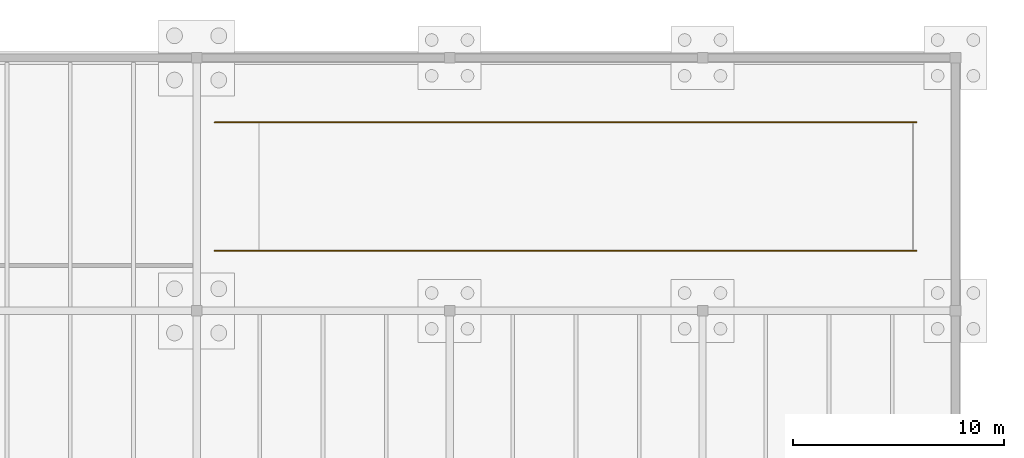
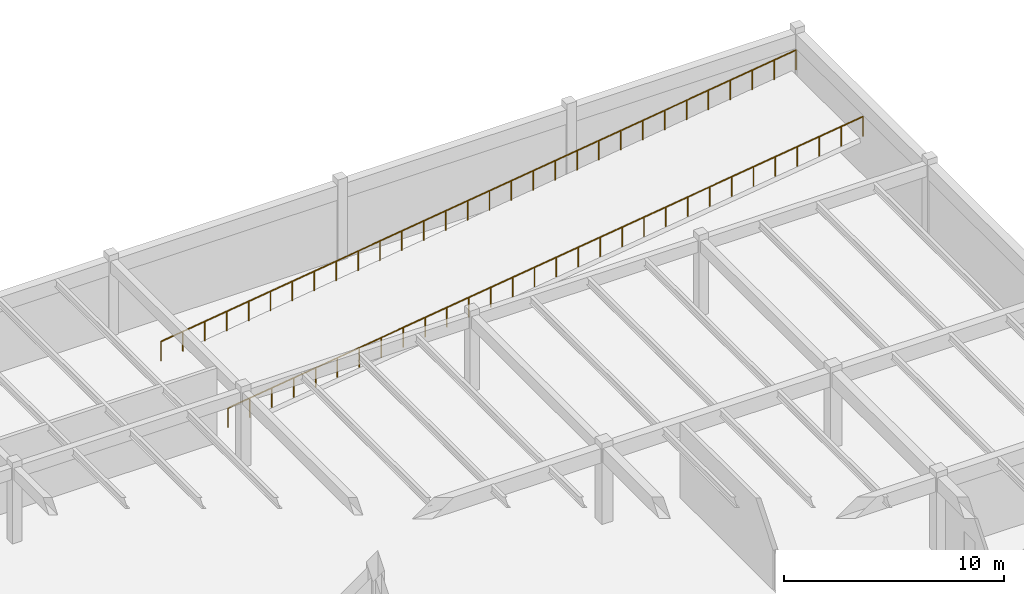
# One storey, part 19 of 20: 2 railings.
"""IFC4 building model written with IfcOpenShell, lengths in metres."""

from ifc_helpers import new_model, si_unit, direction, frame, origin, origin_2d, place, context, subcontext, project, spatial, circle, extrude, material, type_object, element, save


model = new_model("IFC4")

# Units and contexts
model_context = context("Model", 3, precision=1e-05, world=origin(), true_north=direction((0.0, 1.0)))
body_context = subcontext(model_context, "Body", "Model", "MODEL_VIEW")
ifc_project = project(units=[si_unit("LENGTHUNIT", "METRE"), si_unit("AREAUNIT", "SQUARE_METRE"), si_unit("VOLUMEUNIT", "CUBIC_METRE"), si_unit("PLANEANGLEUNIT", "RADIAN"), si_unit("MASSUNIT", "GRAM", prefix="KILO")], contexts=[model_context])

# Site, building, storey
site_placement = place(None, origin())
site = spatial("IfcSite", under=ifc_project, at=site_placement, CompositionType="ELEMENT")
building_placement = place(site_placement, origin())
building = spatial("IfcBuilding", under=site, at=building_placement, Name="Pandanus Reach Market Hall", CompositionType="ELEMENT")
storey_placement = place(building_placement, frame((0.0, 0.0, -4.5)))
storey = spatial("IfcBuildingStorey", under=building, at=storey_placement, Name="B1", CompositionType="ELEMENT", Elevation=-4.5)

# Railings
ifc_material = material(Name="Galvanised steel Grade 350 (350 MPa)", Category="steel")
railing_type = type_object("IfcRailingType", Name="GR-INT-110", PredefinedType="GUARDRAIL", material=ifc_material)
railing_1_placement = place(storey_placement, frame((144.85009765625, 110.860107421875, 0.0)))
element("IfcRailing", 1, at=railing_1_placement, inside=storey, type_object=railing_type, Name="Vehicle ramp flight side guard S.220", PredefinedType="GUARDRAIL", context=body_context, shape_type="SweptSolid", body=[
    extrude(circle(Radius=0.02392578125, at=origin_2d()), frame((0.0, 0.0, 1.076171875), z_axis=(0.99099232617, 0.0, 0.13391866738), x_axis=(0.0, 1.0, 0.0)), (0.0, 0.0, 1.0), 33.6025390625),
    extrude(circle(Radius=0.02099609375, at=origin_2d()), origin(), (0.0, 0.0, 1.0), 1.052001953125),
    extrude(circle(Radius=0.02099609375, at=origin_2d()), frame((1.148193359375, 0.0, 0.1552734375)), (0.0, 0.0, 1.0), 1.052001953125),
    extrude(circle(Radius=0.02099609375, at=origin_2d()), frame((2.296630859375, 0.0, 0.310302734375)), (0.0, 0.0, 1.0), 1.052001953125),
    extrude(circle(Radius=0.02099609375, at=origin_2d()), frame((3.44482421875, 0.0, 0.465576171875)), (0.0, 0.0, 1.0), 1.052001953125),
    extrude(circle(Radius=0.02099609375, at=origin_2d()), frame((4.593017578125, 0.0, 0.62060546875)), (0.0, 0.0, 1.0), 1.052001953125),
    extrude(circle(Radius=0.02099609375, at=origin_2d()), frame((5.741455078125, 0.0, 0.77587890625)), (0.0, 0.0, 1.0), 1.052001953125),
    extrude(circle(Radius=0.02099609375, at=origin_2d()), frame((6.8896484375, 0.0, 0.93115234375)), (0.0, 0.0, 1.0), 1.052001953125),
    extrude(circle(Radius=0.02099609375, at=origin_2d()), frame((8.037841796875, 0.0, 1.086181640625)), (0.0, 0.0, 1.0), 1.052001953125),
    extrude(circle(Radius=0.02099609375, at=origin_2d()), frame((9.18603515625, 0.0, 1.241455078125)), (0.0, 0.0, 1.0), 1.052001953125),
    extrude(circle(Radius=0.02099609375, at=origin_2d()), frame((10.33447265625, 0.0, 1.396484375)), (0.0, 0.0, 1.0), 1.052001953125),
    extrude(circle(Radius=0.02099609375, at=origin_2d()), frame((11.482666015625, 0.0, 1.5517578125)), (0.0, 0.0, 1.0), 1.052001953125),
    extrude(circle(Radius=0.02099609375, at=origin_2d()), frame((12.630859375, 0.0, 1.706787109375)), (0.0, 0.0, 1.0), 1.052001953125),
    extrude(circle(Radius=0.02099609375, at=origin_2d()), frame((13.779296875, 0.0, 1.862060546875)), (0.0, 0.0, 1.0), 1.052001953125),
    extrude(circle(Radius=0.02099609375, at=origin_2d()), frame((14.927490234375, 0.0, 2.017333984375)), (0.0, 0.0, 1.0), 1.052001953125),
    extrude(circle(Radius=0.02099609375, at=origin_2d()), frame((16.07568359375, 0.0, 2.17236328125)), (0.0, 0.0, 1.0), 1.052001953125),
    extrude(circle(Radius=0.02099609375, at=origin_2d()), frame((17.22412109375, 0.0, 2.32763671875)), (0.0, 0.0, 1.0), 1.052001953125),
    extrude(circle(Radius=0.02099609375, at=origin_2d()), frame((18.372314453125, 0.0, 2.482666015625)), (0.0, 0.0, 1.0), 1.052001953125),
    extrude(circle(Radius=0.02099609375, at=origin_2d()), frame((19.5205078125, 0.0, 2.637939453125)), (0.0, 0.0, 1.0), 1.052001953125),
    extrude(circle(Radius=0.02099609375, at=origin_2d()), frame((20.6689453125, 0.0, 2.793212890625)), (0.0, 0.0, 1.0), 1.052001953125),
    extrude(circle(Radius=0.02099609375, at=origin_2d()), frame((21.817138671875, 0.0, 2.9482421875)), (0.0, 0.0, 1.0), 1.052001953125),
    extrude(circle(Radius=0.02099609375, at=origin_2d()), frame((22.96533203125, 0.0, 3.103515625)), (0.0, 0.0, 1.0), 1.052001953125),
    extrude(circle(Radius=0.02099609375, at=origin_2d()), frame((24.11376953125, 0.0, 3.258544921875)), (0.0, 0.0, 1.0), 1.052001953125),
    extrude(circle(Radius=0.02099609375, at=origin_2d()), frame((25.261962890625, 0.0, 3.413818359375)), (0.0, 0.0, 1.0), 1.052001953125),
    extrude(circle(Radius=0.02099609375, at=origin_2d()), frame((26.41015625, 0.0, 3.56884765625)), (0.0, 0.0, 1.0), 1.052001953125),
    extrude(circle(Radius=0.02099609375, at=origin_2d()), frame((27.558349609375, 0.0, 3.72412109375)), (0.0, 0.0, 1.0), 1.052001953125),
    extrude(circle(Radius=0.02099609375, at=origin_2d()), frame((28.706787109375, 0.0, 3.87939453125)), (0.0, 0.0, 1.0), 1.052001953125),
    extrude(circle(Radius=0.02099609375, at=origin_2d()), frame((29.85498046875, 0.0, 4.034423828125)), (0.0, 0.0, 1.0), 1.052001953125),
    extrude(circle(Radius=0.02099609375, at=origin_2d()), frame((31.003173828125, 0.0, 4.189697265625)), (0.0, 0.0, 1.0), 1.052001953125),
    extrude(circle(Radius=0.02099609375, at=origin_2d()), frame((32.151611328125, 0.0, 4.3447265625)), (0.0, 0.0, 1.0), 1.052001953125),
    extrude(circle(Radius=0.02099609375, at=origin_2d()), frame((33.2998046875, 0.0, 4.5)), (0.0, 0.0, 1.0), 1.052001953125),
])
railing_2_placement = place(storey_placement, frame((144.85009765625, 116.93994140625, 0.0)))
element("IfcRailing", 2, at=railing_2_placement, inside=storey, type_object=railing_type, Name="Vehicle ramp flight side guard N.221", PredefinedType="GUARDRAIL", context=body_context, shape_type="SweptSolid", body=[
    extrude(circle(Radius=0.02392578125, at=origin_2d()), frame((0.0, 0.0, 1.076171875), z_axis=(0.99099232617, 0.0, 0.13391866738), x_axis=(0.0, 1.0, 0.0)), (0.0, 0.0, 1.0), 33.6025390625),
    extrude(circle(Radius=0.02099609375, at=origin_2d()), origin(), (0.0, 0.0, 1.0), 1.052001953125),
    extrude(circle(Radius=0.02099609375, at=origin_2d()), frame((1.148193359375, 0.0, 0.1552734375)), (0.0, 0.0, 1.0), 1.052001953125),
    extrude(circle(Radius=0.02099609375, at=origin_2d()), frame((2.296630859375, 0.0, 0.310302734375)), (0.0, 0.0, 1.0), 1.052001953125),
    extrude(circle(Radius=0.02099609375, at=origin_2d()), frame((3.44482421875, 0.0, 0.465576171875)), (0.0, 0.0, 1.0), 1.052001953125),
    extrude(circle(Radius=0.02099609375, at=origin_2d()), frame((4.593017578125, 0.0, 0.62060546875)), (0.0, 0.0, 1.0), 1.052001953125),
    extrude(circle(Radius=0.02099609375, at=origin_2d()), frame((5.741455078125, 0.0, 0.77587890625)), (0.0, 0.0, 1.0), 1.052001953125),
    extrude(circle(Radius=0.02099609375, at=origin_2d()), frame((6.8896484375, 0.0, 0.93115234375)), (0.0, 0.0, 1.0), 1.052001953125),
    extrude(circle(Radius=0.02099609375, at=origin_2d()), frame((8.037841796875, 0.0, 1.086181640625)), (0.0, 0.0, 1.0), 1.052001953125),
    extrude(circle(Radius=0.02099609375, at=origin_2d()), frame((9.18603515625, 0.0, 1.241455078125)), (0.0, 0.0, 1.0), 1.052001953125),
    extrude(circle(Radius=0.02099609375, at=origin_2d()), frame((10.33447265625, 0.0, 1.396484375)), (0.0, 0.0, 1.0), 1.052001953125),
    extrude(circle(Radius=0.02099609375, at=origin_2d()), frame((11.482666015625, 0.0, 1.5517578125)), (0.0, 0.0, 1.0), 1.052001953125),
    extrude(circle(Radius=0.02099609375, at=origin_2d()), frame((12.630859375, 0.0, 1.706787109375)), (0.0, 0.0, 1.0), 1.052001953125),
    extrude(circle(Radius=0.02099609375, at=origin_2d()), frame((13.779296875, 0.0, 1.862060546875)), (0.0, 0.0, 1.0), 1.052001953125),
    extrude(circle(Radius=0.02099609375, at=origin_2d()), frame((14.927490234375, 0.0, 2.017333984375)), (0.0, 0.0, 1.0), 1.052001953125),
    extrude(circle(Radius=0.02099609375, at=origin_2d()), frame((16.07568359375, 0.0, 2.17236328125)), (0.0, 0.0, 1.0), 1.052001953125),
    extrude(circle(Radius=0.02099609375, at=origin_2d()), frame((17.22412109375, 0.0, 2.32763671875)), (0.0, 0.0, 1.0), 1.052001953125),
    extrude(circle(Radius=0.02099609375, at=origin_2d()), frame((18.372314453125, 0.0, 2.482666015625)), (0.0, 0.0, 1.0), 1.052001953125),
    extrude(circle(Radius=0.02099609375, at=origin_2d()), frame((19.5205078125, 0.0, 2.637939453125)), (0.0, 0.0, 1.0), 1.052001953125),
    extrude(circle(Radius=0.02099609375, at=origin_2d()), frame((20.6689453125, 0.0, 2.793212890625)), (0.0, 0.0, 1.0), 1.052001953125),
    extrude(circle(Radius=0.02099609375, at=origin_2d()), frame((21.817138671875, 0.0, 2.9482421875)), (0.0, 0.0, 1.0), 1.052001953125),
    extrude(circle(Radius=0.02099609375, at=origin_2d()), frame((22.96533203125, 0.0, 3.103515625)), (0.0, 0.0, 1.0), 1.052001953125),
    extrude(circle(Radius=0.02099609375, at=origin_2d()), frame((24.11376953125, 0.0, 3.258544921875)), (0.0, 0.0, 1.0), 1.052001953125),
    extrude(circle(Radius=0.02099609375, at=origin_2d()), frame((25.261962890625, 0.0, 3.413818359375)), (0.0, 0.0, 1.0), 1.052001953125),
    extrude(circle(Radius=0.02099609375, at=origin_2d()), frame((26.41015625, 0.0, 3.56884765625)), (0.0, 0.0, 1.0), 1.052001953125),
    extrude(circle(Radius=0.02099609375, at=origin_2d()), frame((27.558349609375, 0.0, 3.72412109375)), (0.0, 0.0, 1.0), 1.052001953125),
    extrude(circle(Radius=0.02099609375, at=origin_2d()), frame((28.706787109375, 0.0, 3.87939453125)), (0.0, 0.0, 1.0), 1.052001953125),
    extrude(circle(Radius=0.02099609375, at=origin_2d()), frame((29.85498046875, 0.0, 4.034423828125)), (0.0, 0.0, 1.0), 1.052001953125),
    extrude(circle(Radius=0.02099609375, at=origin_2d()), frame((31.003173828125, 0.0, 4.189697265625)), (0.0, 0.0, 1.0), 1.052001953125),
    extrude(circle(Radius=0.02099609375, at=origin_2d()), frame((32.151611328125, 0.0, 4.3447265625)), (0.0, 0.0, 1.0), 1.052001953125),
    extrude(circle(Radius=0.02099609375, at=origin_2d()), frame((33.2998046875, 0.0, 4.5)), (0.0, 0.0, 1.0), 1.052001953125),
])

save(model, "model.ifc")
